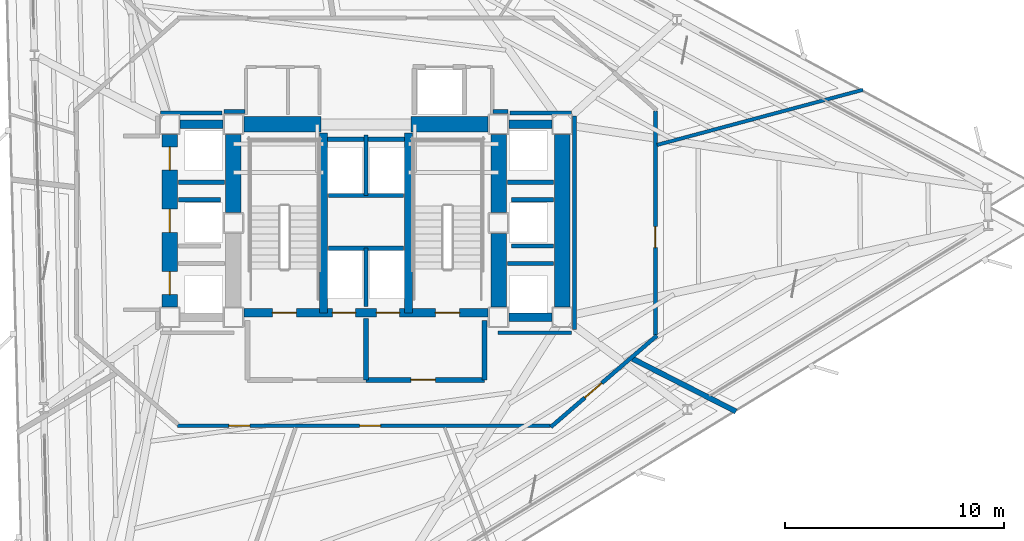
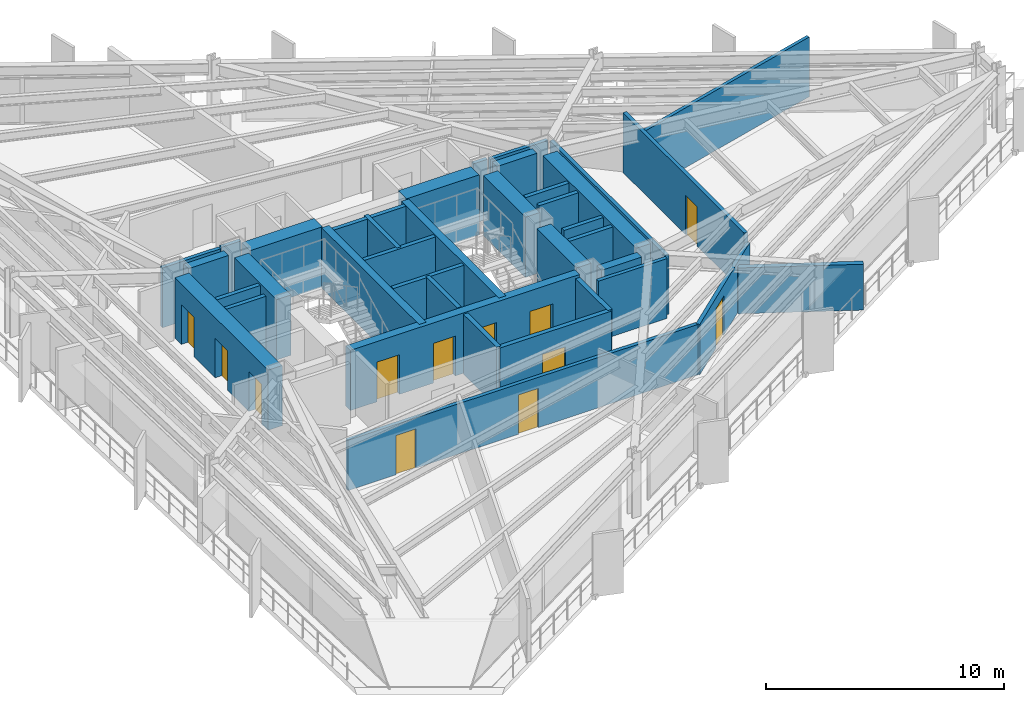
# One storey, part 8 of 14: 38 walls, 12 doors, 12 openings.
"""IFC4 building model written with IfcOpenShell, lengths in metres."""

from ifc_helpers import new_model, si_unit, direction, frame, frame_2d, origin, place, context, subcontext, project, spatial, rectangle, extrude, material, layer, layer_set, type_object, element, fill, save


model = new_model("IFC4")

# Units and contexts
model_context = context("Model", 3, precision=1e-05, world=origin(), true_north=direction((0.0, 1.0)))
body_context = subcontext(model_context, "Body", "Model", "MODEL_VIEW")
ifc_project = project(units=[si_unit("LENGTHUNIT", "METRE"), si_unit("AREAUNIT", "SQUARE_METRE"), si_unit("VOLUMEUNIT", "CUBIC_METRE"), si_unit("PLANEANGLEUNIT", "RADIAN"), si_unit("MASSUNIT", "GRAM", prefix="KILO")], contexts=[model_context])

# Site, building, storey
site_placement = place(None, origin())
site = spatial("IfcSite", under=ifc_project, at=site_placement, CompositionType="ELEMENT")
building_placement = place(site_placement, origin())
building = spatial("IfcBuilding", under=site, at=building_placement, Name="Rocaltana Carrier Exchange", CompositionType="ELEMENT")
storey_placement = place(building_placement, frame((0.0, 0.0, 35.679931640625)))
storey = spatial("IfcBuildingStorey", under=building, at=storey_placement, Name="L11", CompositionType="ELEMENT", Elevation=35.679931640625)

# Walls
ifc_material_1 = material(Name="Double Acoustic Gypsum Partition", Category="gypsum")
ifc_layer_1 = layer(ifc_material_1, 0.159912109375)
ifc_layer_set_1 = layer_set([ifc_layer_1], Name="Double Acoustic Gypsum Partition")
wall_type_1 = type_object("IfcWallType", Name="Acoustic Studio Partition 160 EI60", PredefinedType="PARTITIONING", material=ifc_layer_set_1)
wall_1_placement = place(storey_placement, frame((13.280029296875, 3.558349609375, 0.0), z_axis=(0.0, 0.0, 1.0), x_axis=(0.965926641133, 0.258816004043, 0.0)))
element("IfcWall", 1, at=wall_1_placement, inside=storey, type_object=wall_type_1, Name="L11 Suite Divider Wall D5", PredefinedType="PARTITIONING", context=body_context, shape_type="SweptSolid", body=[
    extrude(rectangle(XDim=9.7216796875, YDim=0.159912109375, at=frame_2d((4.86083984375, 0.0))), origin(), (0.0, 0.0, 1.0), 3.072998046875),
])
ifc_material_2 = material(Name="Concrete C50/60", Category="concrete")
ifc_layer_2 = layer(ifc_material_2, 0.35009765625)
ifc_layer_set_2 = layer_set([ifc_layer_2], Name="Concrete C50/60")
wall_type_2 = type_object("IfcWallType", Name="Core Internal Shear Wall 350", PredefinedType="SHEAR", material=ifc_layer_set_2)
for number, where, z_axis, x_axis, name in (
    (2, (-1.93994140625, -4.10009765625, 0.0), (0.0, 0.0, 1.0), (0.0, 1.0, 0.0), "L11 Core Shear Wall CW-STW"),
    (3, (1.93994140625, -4.10009765625, 0.0), (0.0, 0.0, 1.0), (0.0, 1.0, 0.0), "L11 Core Shear Wall CW-STE"),
):
    element("IfcWall", number, at=place(storey_placement, frame(where, z_axis=z_axis, x_axis=x_axis)), inside=storey, type_object=wall_type_2, Name=name, PredefinedType="SHEAR", context=body_context, shape_type="SweptSolid", body=[
        extrude(rectangle(XDim=8.2001953125, YDim=0.35009765625, at=frame_2d((4.10009765625, 0.0))), origin(), (0.0, 0.0, 1.0), 3.09814453125),
    ])

# Wall, openings, doors
ifc_material_3 = material(Name="Concrete C50/60", Category="concrete")
ifc_layer_3 = layer(ifc_material_3, 0.39990234375)
ifc_layer_set_3 = layer_set([ifc_layer_3], Name="Concrete C50/60")
wall_type_3 = type_object("IfcWallType", Name="Core Internal Shear Wall 400", PredefinedType="SHEAR", material=ifc_layer_set_3)
wall_2_placement = place(storey_placement, frame((-5.574951171875, -4.10009765625, 0.0), z_axis=(0.0, 0.0, 1.0), x_axis=(1.0, 0.0, 0.0)))
wall_2 = element("IfcWall", 4, at=wall_2_placement, inside=storey, type_object=wall_type_3, Name="L11 Core Shear Wall CW-S", PredefinedType="SHEAR", context=body_context, shape_type="SweptSolid", body=[
    extrude(rectangle(XDim=11.14990234375, YDim=0.39990234375, at=frame_2d((5.574951171875, 0.0))), origin(), (0.0, 0.0, 1.0), 3.09814453125),
])
opening_1_placement = place(wall_2_placement, frame((1.304931640625, 0.0, 0.0)))
opening_1 = element("IfcOpeningElement", 5, at=opening_1_placement, cuts=wall_2, Name="Opening D-ST110", PredefinedType="OPENING", context=body_context, shape_type="SweptSolid", body=[
    extrude(rectangle(XDim=1.10009765625, YDim=2.0400390625, at=frame_2d((0.550048828125, 1.02001953125))), frame((0.0, 0.2099609375, 0.0), z_axis=(0.0, -1.0, 0.0), x_axis=(1.0, 0.0, 0.0)), (0.0, 0.0, 1.0), 0.419921875),
])
opening_2_placement = place(wall_2_placement, frame((8.7451171875, 0.0, 0.0)))
opening_2 = element("IfcOpeningElement", 6, at=opening_2_placement, cuts=wall_2, Name="Opening D-ST110", PredefinedType="OPENING", context=body_context, shape_type="SweptSolid", body=[
    extrude(rectangle(XDim=1.10009765625, YDim=2.0400390625, at=frame_2d((0.550048828125, 1.02001953125))), frame((0.0, 0.2099609375, 0.0), z_axis=(0.0, -1.0, 0.0), x_axis=(1.0, 0.0, 0.0)), (0.0, 0.0, 1.0), 0.419921875),
])
opening_3_placement = place(wall_2_placement, frame((4.044921875, 0.0, 0.0)))
opening_3 = element("IfcOpeningElement", 7, at=opening_3_placement, cuts=wall_2, Name="Opening LD-110", PredefinedType="OPENING", context=body_context, shape_type="SweptSolid", body=[
    extrude(rectangle(XDim=1.06005859375, YDim=2.0400390625, at=frame_2d((0.530029296875, 1.02001953125))), frame((0.0, 0.2099609375, 0.0), z_axis=(0.0, -1.0, 0.0), x_axis=(1.0, 0.0, 0.0)), (0.0, 0.0, 1.0), 0.419921875),
])
opening_4_placement = place(wall_2_placement, frame((6.044921875, 0.0, 0.0)))
opening_4 = element("IfcOpeningElement", 8, at=opening_4_placement, cuts=wall_2, Name="Opening LD-110", PredefinedType="OPENING", context=body_context, shape_type="SweptSolid", body=[
    extrude(rectangle(XDim=1.06005859375, YDim=2.0400390625, at=frame_2d((0.530029296875, 1.02001953125))), frame((0.0, 0.2099609375, 0.0), z_axis=(0.0, -1.0, 0.0), x_axis=(1.0, 0.0, 0.0)), (0.0, 0.0, 1.0), 0.419921875),
])
ifc_material_4 = material(Name="Hollow Metal Fire Door Assembly", Category="steel")
door_type_1 = type_object("IfcDoorType", Name="Exit Stair Fire Door 1100x2040 FD90S", OperationType="NOTDEFINED", PredefinedType="DOOR", material=ifc_material_4)
door_1_placement = place(opening_1_placement, origin())
door_1 = element("IfcDoor", 9, at=door_1_placement, inside=storey, type_object=door_type_1, Name="L11 Exit Stair ST1 Fire Door", OperationType="SINGLE_SWING_RIGHT", OverallHeight=2.0400390625, OverallWidth=1.10009765625, PredefinedType="DOOR", context=body_context, shape_type="SweptSolid", body=[
    extrude(rectangle(XDim=1.10009765625, YDim=2.0400390625, at=frame_2d((0.550048828125, 1.02001953125))), frame((0.0, 0.02490234375, 0.0), z_axis=(0.0, -1.0, 0.0), x_axis=(1.0, 0.0, 0.0)), (0.0, 0.0, 1.0), 0.050048828125),
])
fill(opening_1, door_1)
door_2_placement = place(opening_2_placement, origin())
door_2 = element("IfcDoor", 10, at=door_2_placement, inside=storey, type_object=door_type_1, Name="L11 Exit Stair ST2 Fire Door", OperationType="SINGLE_SWING_LEFT", OverallHeight=2.0400390625, OverallWidth=1.10009765625, PredefinedType="DOOR", context=body_context, shape_type="SweptSolid", body=[
    extrude(rectangle(XDim=1.10009765625, YDim=2.0400390625, at=frame_2d((0.550048828125, 1.02001953125))), frame((0.0, 0.02490234375, 0.0), z_axis=(0.0, -1.0, 0.0), x_axis=(1.0, 0.0, 0.0)), (0.0, 0.0, 1.0), 0.050048828125),
])
fill(opening_2, door_2)
ifc_material_5 = material(Name="Brushed Stainless Sliding Door Leaf", Category="steel")
door_type_2 = type_object("IfcDoorType", Name="Lift Landing Sliding Door 1060x2040", OperationType="NOTDEFINED", PredefinedType="DOOR", material=ifc_material_5)
door_3_placement = place(opening_3_placement, origin())
door_3 = element("IfcDoor", 11, at=door_3_placement, inside=storey, type_object=door_type_2, Name="L11 Firefighting Lift FFL1 Landing Door", OperationType="SLIDING_TO_LEFT", OverallHeight=2.0400390625, OverallWidth=1.06005859375, PredefinedType="DOOR", context=body_context, shape_type="SweptSolid", body=[
    extrude(rectangle(XDim=1.06005859375, YDim=2.0400390625, at=frame_2d((0.530029296875, 1.02001953125))), frame((0.0, 0.02490234375, 0.0), z_axis=(0.0, -1.0, 0.0), x_axis=(1.0, 0.0, 0.0)), (0.0, 0.0, 1.0), 0.050048828125),
])
fill(opening_3, door_3)
door_4_placement = place(opening_4_placement, origin())
door_4 = element("IfcDoor", 12, at=door_4_placement, inside=storey, type_object=door_type_2, Name="L11 Firefighting Lift FFL2 Landing Door", OperationType="SLIDING_TO_RIGHT", OverallHeight=2.0400390625, OverallWidth=1.06005859375, PredefinedType="DOOR", context=body_context, shape_type="SweptSolid", body=[
    extrude(rectangle(XDim=1.06005859375, YDim=2.0400390625, at=frame_2d((0.530029296875, 1.02001953125))), frame((0.0, 0.02490234375, 0.0), z_axis=(0.0, -1.0, 0.0), x_axis=(1.0, 0.0, 0.0)), (0.0, 0.0, 1.0), 0.050048828125),
])
fill(opening_4, door_4)

# Walls
for number, where, z_axis, x_axis, name in (
    (13, (-8.47509765625, 4.5, 0.0), (0.0, 0.0, 1.0), (1.0, 0.0, 0.0), "L11 Core Shear Wall CW-WWN"),
    (14, (6.52490234375, 4.5, 0.0), (0.0, 0.0, 1.0), (1.0, 0.0, 0.0), "L11 Core Shear Wall CW-EWN"),
    (15, (6.52490234375, -4.300048828125, 0.0), (0.0, 0.0, 1.0), (1.0, 0.0, 0.0), "L11 Core Shear Wall CW-EWS"),
):
    element("IfcWall", number, at=place(storey_placement, frame(where, z_axis=z_axis, x_axis=x_axis)), inside=storey, type_object=wall_type_3, Name=name, PredefinedType="SHEAR", context=body_context, shape_type="SweptSolid", body=[
        extrude(rectangle(XDim=1.9501953125, YDim=0.39990234375, at=frame_2d((0.97509765625, 0.0))), origin(), (0.0, 0.0, 1.0), 3.09814453125),
    ])
ifc_material_6 = material(Name="Concrete C60/75", Category="concrete")
ifc_layer_4 = layer(ifc_material_6, 0.699951171875)
ifc_layer_set_4 = layer_set([ifc_layer_4], Name="Concrete C60/75")
wall_type_4 = type_object("IfcWallType", Name="Core Shear Wall 700", PredefinedType="SHEAR", material=ifc_layer_set_4)
for number, where, z_axis, x_axis, name in (
    (16, (-6.050048828125, 0.47509765625, 0.0), (0.0, 0.0, 1.0), (0.0, 1.0, 0.0), "L11 Core Shear Wall CW-WN"),
    (17, (6.050048828125, 0.47509765625, 0.0), (0.0, 0.0, 1.0), (0.0, 1.0, 0.0), "L11 Core Shear Wall CW-EN"),
):
    element("IfcWall", number, at=place(storey_placement, frame(where, z_axis=z_axis, x_axis=x_axis)), inside=storey, type_object=wall_type_4, Name=name, PredefinedType="SHEAR", context=body_context, shape_type="SweptSolid", body=[
        extrude(rectangle(XDim=3.5498046875, YDim=0.699951171875, at=frame_2d((1.77490234375, 0.0))), origin(), (0.0, 0.0, 1.0), 3.09814453125),
    ])
wall_3_placement = place(storey_placement, frame((6.050048828125, -3.824951171875, 0.0), z_axis=(0.0, 0.0, 1.0), x_axis=(0.0, 1.0, 0.0)))
element("IfcWall", 18, at=wall_3_placement, inside=storey, type_object=wall_type_4, Name="L11 Core Shear Wall CW-ES", PredefinedType="SHEAR", context=body_context, shape_type="SweptSolid", body=[
    extrude(rectangle(XDim=3.349853515625, YDim=0.699951171875, at=frame_2d((1.6748046875, 0.0))), origin(), (0.0, 0.0, 1.0), 3.09814453125),
])
for number, where, z_axis, x_axis, name in (
    (19, (-5.574951171875, 4.5, 0.0), (0.0, 0.0, 1.0), (1.0, 0.0, 0.0), "L11 Core Shear Wall CW-N1"),
    (20, (2.050048828125, 4.5, 0.0), (0.0, 0.0, 1.0), (1.0, 0.0, 0.0), "L11 Core Shear Wall CW-N2"),
):
    element("IfcWall", number, at=place(storey_placement, frame(where, z_axis=z_axis, x_axis=x_axis)), inside=storey, type_object=wall_type_4, Name=name, PredefinedType="SHEAR", context=body_context, shape_type="SweptSolid", body=[
        extrude(rectangle(XDim=3.52490234375, YDim=0.699951171875, at=frame_2d((1.762451171875, 0.0))), origin(), (0.0, 0.0, 1.0), 3.09814453125),
    ])

# Wall, openings, doors
wall_4_placement = place(storey_placement, frame((-8.949951171875, -3.824951171875, 0.0), z_axis=(0.0, 0.0, 1.0), x_axis=(0.0, 1.0, 0.0)))
wall_4 = element("IfcWall", 21, at=wall_4_placement, inside=storey, type_object=wall_type_4, Name="L11 Core Shear Wall CW-WW", PredefinedType="SHEAR", context=body_context, shape_type="SweptSolid", body=[
    extrude(rectangle(XDim=7.849853515625, YDim=0.699951171875, at=frame_2d((3.9248046875, 0.0))), origin(), (0.0, 0.0, 1.0), 3.09814453125),
])
opening_5_placement = place(wall_4_placement, frame((0.550048828125, 0.0, 0.0)))
opening_5 = element("IfcOpeningElement", 22, at=opening_5_placement, cuts=wall_4, Name="Opening LD-110", PredefinedType="OPENING", context=body_context, shape_type="SweptSolid", body=[
    extrude(rectangle(XDim=1.06005859375, YDim=2.0400390625, at=frame_2d((0.530029296875, 1.02001953125))), frame((0.0, 0.35986328125, 0.0), z_axis=(0.0, -1.0, 0.0), x_axis=(1.0, 0.0, 0.0)), (0.0, 0.0, 1.0), 0.719970703125),
])
opening_6_placement = place(wall_4_placement, frame((3.39501953125, 0.0, 0.0)))
opening_6 = element("IfcOpeningElement", 23, at=opening_6_placement, cuts=wall_4, Name="Opening LD-110", PredefinedType="OPENING", context=body_context, shape_type="SweptSolid", body=[
    extrude(rectangle(XDim=1.06005859375, YDim=2.0400390625, at=frame_2d((0.530029296875, 1.02001953125))), frame((0.0, 0.35986328125, 0.0), z_axis=(0.0, -1.0, 0.0), x_axis=(1.0, 0.0, 0.0)), (0.0, 0.0, 1.0), 0.719970703125),
])
opening_7_placement = place(wall_4_placement, frame((6.22998046875, 0.0, 0.0)))
opening_7 = element("IfcOpeningElement", 24, at=opening_7_placement, cuts=wall_4, Name="Opening LD-110", PredefinedType="OPENING", context=body_context, shape_type="SweptSolid", body=[
    extrude(rectangle(XDim=1.06005859375, YDim=2.0400390625, at=frame_2d((0.530029296875, 1.02001953125))), frame((0.0, 0.35986328125, 0.0), z_axis=(0.0, -1.0, 0.0), x_axis=(1.0, 0.0, 0.0)), (0.0, 0.0, 1.0), 0.719970703125),
])
door_5_placement = place(opening_5_placement, origin())
door_5 = element("IfcDoor", 25, at=door_5_placement, inside=storey, type_object=door_type_2, Name="L11 Low-Rise Lift PL-L1 Landing Door", OperationType="SLIDING_TO_LEFT", OverallHeight=2.0400390625, OverallWidth=1.06005859375, PredefinedType="DOOR", context=body_context, shape_type="SweptSolid", body=[
    extrude(rectangle(XDim=1.06005859375, YDim=2.0400390625, at=frame_2d((0.530029296875, 1.02001953125))), frame((0.0, 0.02490234375, 0.0), z_axis=(0.0, -1.0, 0.0), x_axis=(1.0, 0.0, 0.0)), (0.0, 0.0, 1.0), 0.050048828125),
])
fill(opening_5, door_5)
door_6_placement = place(opening_6_placement, origin())
door_6 = element("IfcDoor", 26, at=door_6_placement, inside=storey, type_object=door_type_2, Name="L11 Low-Rise Lift PL-L2 Landing Door", OperationType="SLIDING_TO_RIGHT", OverallHeight=2.0400390625, OverallWidth=1.06005859375, PredefinedType="DOOR", context=body_context, shape_type="SweptSolid", body=[
    extrude(rectangle(XDim=1.06005859375, YDim=2.0400390625, at=frame_2d((0.530029296875, 1.02001953125))), frame((0.0, 0.02490234375, 0.0), z_axis=(0.0, -1.0, 0.0), x_axis=(1.0, 0.0, 0.0)), (0.0, 0.0, 1.0), 0.050048828125),
])
fill(opening_6, door_6)
door_7_placement = place(opening_7_placement, origin())
door_7 = element("IfcDoor", 27, at=door_7_placement, inside=storey, type_object=door_type_2, Name="L11 Low-Rise Lift PL-L3 Landing Door", OperationType="SLIDING_TO_LEFT", OverallHeight=2.0400390625, OverallWidth=1.06005859375, PredefinedType="DOOR", context=body_context, shape_type="SweptSolid", body=[
    extrude(rectangle(XDim=1.06005859375, YDim=2.0400390625, at=frame_2d((0.530029296875, 1.02001953125))), frame((0.0, 0.02490234375, 0.0), z_axis=(0.0, -1.0, 0.0), x_axis=(1.0, 0.0, 0.0)), (0.0, 0.0, 1.0), 0.050048828125),
])
fill(opening_7, door_7)

# Wall
wall_5_placement = place(storey_placement, frame((8.949951171875, -3.824951171875, 0.0), z_axis=(0.0, 0.0, 1.0), x_axis=(0.0, 1.0, 0.0)))
element("IfcWall", 28, at=wall_5_placement, inside=storey, type_object=wall_type_4, Name="L11 Core Shear Wall CW-EW", PredefinedType="SHEAR", context=body_context, shape_type="SweptSolid", body=[
    extrude(rectangle(XDim=7.849853515625, YDim=0.699951171875, at=frame_2d((3.9248046875, 0.0))), origin(), (0.0, 0.0, 1.0), 3.09814453125),
])

# Wall, opening, door
ifc_material_7 = material(Name="Gypsum & Steel Stud Partition", Category="steel")
ifc_layer_5 = layer(ifc_material_7, 0.179931640625)
ifc_layer_set_5 = layer_set([ifc_layer_5], Name="Gypsum & Steel Stud Partition")
wall_type_5 = type_object("IfcWallType", Name="Corridor Fire Partition 180 EI60", PredefinedType="PARTITIONING", material=ifc_layer_set_5)
wall_6_placement = place(storey_placement, frame((13.199951171875, 5.110107421875, 0.0), z_axis=(0.0, 0.0, 1.0), x_axis=(0.0, -1.0, 0.0)))
wall_6 = element("IfcWall", 29, at=wall_6_placement, inside=storey, type_object=wall_type_5, Name="L11 Corridor Partition 3", PredefinedType="PARTITIONING", context=body_context, shape_type="SweptSolid", body=[
    extrude(rectangle(XDim=10.22021484375, YDim=0.179931640625, at=frame_2d((5.110107421875, 0.0))), origin(), (0.0, 0.0, 1.0), 3.072998046875),
])
opening_8_placement = place(wall_6_placement, frame((5.27685546875, 0.0, 0.0)))
opening_8 = element("IfcOpeningElement", 30, at=opening_8_placement, cuts=wall_6, Name="Opening D-RM098", PredefinedType="OPENING", context=body_context, shape_type="SweptSolid", body=[
    extrude(rectangle(XDim=0.9599609375, YDim=2.02001953125, at=frame_2d((0.47998046875, 1.010009765625))), frame((0.0, 0.099853515625, 0.0), z_axis=(0.0, -1.0, 0.0), x_axis=(1.0, 0.0, 0.0)), (0.0, 0.0, 1.0), 0.199951171875),
])
ifc_material_8 = material(Name="Engineered Hardwood Timber", Category="wood")
door_type_3 = type_object("IfcDoorType", Name="Workspace Single Door 960x2020", OperationType="NOTDEFINED", PredefinedType="DOOR", material=ifc_material_8)
door_8_placement = place(opening_8_placement, origin())
door_8 = element("IfcDoor", 31, at=door_8_placement, inside=storey, type_object=door_type_3, Name="L11 Executive Peering Boardroom Entrance Door", OperationType="SINGLE_SWING_LEFT", OverallHeight=2.02001953125, OverallWidth=0.9599609375, PredefinedType="DOOR", context=body_context, shape_type="SweptSolid", body=[
    extrude(rectangle(XDim=0.9599609375, YDim=2.02001953125, at=frame_2d((0.47998046875, 1.010009765625))), frame((0.0, 0.02490234375, 0.0), z_axis=(0.0, -1.0, 0.0), x_axis=(1.0, 0.0, 0.0)), (0.0, 0.0, 1.0), 0.050048828125),
])
fill(opening_8, door_8)

wall_7_placement = place(storey_placement, frame((13.268310546875, -5.14111328125, 0.0), z_axis=(0.0, 0.0, 1.0), x_axis=(-0.757534501725, -0.65279512766, 0.0)))
wall_7 = element("IfcWall", 32, at=wall_7_placement, inside=storey, type_object=wall_type_5, Name="L11 Corridor Partition 4", PredefinedType="PARTITIONING", context=body_context, shape_type="SweptSolid", body=[
    extrude(rectangle(XDim=6.384521484375, YDim=0.179931640625, at=frame_2d((3.1923828125, 0.0))), origin(), (0.0, 0.0, 1.0), 2.587158203125),
])
opening_9_placement = place(wall_7_placement, frame((3.315673828125, 0.0, 0.0)))
opening_9 = element("IfcOpeningElement", 33, at=opening_9_placement, cuts=wall_7, Name="Opening D-LB104", PredefinedType="OPENING", context=body_context, shape_type="SweptSolid", body=[
    extrude(rectangle(XDim=1.02001953125, YDim=2.02001953125, at=frame_2d((0.510009765625, 1.010009765625))), frame((0.0, 0.099853515625, 0.0), z_axis=(0.0, -1.0, 0.0), x_axis=(1.0, 0.0, 0.0)), (0.0, 0.0, 1.0), 0.199951171875),
])
ifc_material_9 = material(Name="Powder-Coated Aluminium 6063-T6", Category="aluminium")
door_type_4 = type_object("IfcDoorType", Name="Laboratory Acoustic Door 1020x2020", OperationType="NOTDEFINED", PredefinedType="DOOR", material=ifc_material_9)
door_9_placement = place(opening_9_placement, origin())
door_9 = element("IfcDoor", 34, at=door_9_placement, inside=storey, type_object=door_type_4, Name="L11 Optical Switching Laboratory Entrance Door", OperationType="SINGLE_SWING_RIGHT", OverallHeight=2.02001953125, OverallWidth=1.02001953125, PredefinedType="DOOR", context=body_context, shape_type="SweptSolid", body=[
    extrude(rectangle(XDim=1.02001953125, YDim=2.02001953125, at=frame_2d((0.510009765625, 1.010009765625))), frame((0.0, 0.02490234375, 0.0), z_axis=(0.0, -1.0, 0.0), x_axis=(1.0, 0.0, 0.0)), (0.0, 0.0, 1.0), 0.050048828125),
])
fill(opening_9, door_9)

# Wall, openings, doors
wall_8_placement = place(storey_placement, frame((8.409912109375, -9.25, 0.0), z_axis=(0.0, 0.0, 1.0), x_axis=(-1.0, 0.0, 0.0)))
wall_8 = element("IfcWall", 35, at=wall_8_placement, inside=storey, type_object=wall_type_5, Name="L11 Corridor Partition 5", PredefinedType="PARTITIONING", context=body_context, shape_type="SweptSolid", body=[
    extrude(rectangle(XDim=17.0, YDim=0.179931640625, at=frame_2d((8.5, 0.0))), origin(), (0.0, 0.0, 1.0), 2.587158203125),
])
opening_10_placement = place(wall_8_placement, frame((13.703369140625, 0.0, 0.0)))
opening_10 = element("IfcOpeningElement", 36, at=opening_10_placement, cuts=wall_8, Name="Opening D-RM098", PredefinedType="OPENING", context=body_context, shape_type="SweptSolid", body=[
    extrude(rectangle(XDim=0.9599609375, YDim=2.02001953125, at=frame_2d((0.47998046875, 1.010009765625))), frame((0.0, 0.099853515625, 0.0), z_axis=(0.0, -1.0, 0.0), x_axis=(1.0, 0.0, 0.0)), (0.0, 0.0, 1.0), 0.199951171875),
])
opening_11_placement = place(wall_8_placement, frame((7.745361328125, 0.0, 0.0)))
opening_11 = element("IfcOpeningElement", 37, at=opening_11_placement, cuts=wall_8, Name="Opening D-RM098", PredefinedType="OPENING", context=body_context, shape_type="SweptSolid", body=[
    extrude(rectangle(XDim=0.9599609375, YDim=2.02001953125, at=frame_2d((0.47998046875, 1.010009765625))), frame((0.0, 0.099853515625, 0.0), z_axis=(0.0, -1.0, 0.0), x_axis=(1.0, 0.0, 0.0)), (0.0, 0.0, 1.0), 0.199951171875),
])
door_10_placement = place(opening_10_placement, origin())
door_10 = element("IfcDoor", 38, at=door_10_placement, inside=storey, type_object=door_type_3, Name="L11 Incident Briefing Room Entrance Door", OperationType="SINGLE_SWING_RIGHT", OverallHeight=2.02001953125, OverallWidth=0.9599609375, PredefinedType="DOOR", context=body_context, shape_type="SweptSolid", body=[
    extrude(rectangle(XDim=0.9599609375, YDim=2.02001953125, at=frame_2d((0.47998046875, 1.010009765625))), frame((0.0, 0.02490234375, 0.0), z_axis=(0.0, -1.0, 0.0), x_axis=(1.0, 0.0, 0.0)), (0.0, 0.0, 1.0), 0.050048828125),
])
fill(opening_10, door_10)
door_11_placement = place(opening_11_placement, origin())
door_11 = element("IfcDoor", 39, at=door_11_placement, inside=storey, type_object=door_type_3, Name="L11 Peering Conference Room Entrance Door", OperationType="SINGLE_SWING_LEFT", OverallHeight=2.02001953125, OverallWidth=0.9599609375, PredefinedType="DOOR", context=body_context, shape_type="SweptSolid", body=[
    extrude(rectangle(XDim=0.9599609375, YDim=2.02001953125, at=frame_2d((0.47998046875, 1.010009765625))), frame((0.0, 0.02490234375, 0.0), z_axis=(0.0, -1.0, 0.0), x_axis=(1.0, 0.0, 0.0)), (0.0, 0.0, 1.0), 0.050048828125),
])
fill(opening_11, door_11)

# Walls
wall_9_placement = place(storey_placement, frame((6.030029296875, -5.010009765625, 0.0), z_axis=(0.0, 0.0, 1.0), x_axis=(1.0, 0.0, 0.0)))
element("IfcWall", 40, at=wall_9_placement, inside=storey, type_object=wall_type_5, Name="L11 Corridor Partition 16", PredefinedType="PARTITIONING", context=body_context, shape_type="SweptSolid", body=[
    extrude(rectangle(XDim=3.340087890625, YDim=0.179931640625, at=frame_2d((1.669921875, 0.0))), origin(), (0.0, 0.0, 1.0), 3.072998046875),
])
wall_10_placement = place(storey_placement, frame((9.510009765625, -4.8701171875, 0.0), z_axis=(0.0, 0.0, 1.0), x_axis=(0.0, 1.0, 0.0)))
element("IfcWall", 41, at=wall_10_placement, inside=storey, type_object=wall_type_5, Name="L11 Corridor Partition 17", PredefinedType="PARTITIONING", context=body_context, shape_type="SweptSolid", body=[
    extrude(rectangle(XDim=9.740234375, YDim=0.179931640625, at=frame_2d((4.8701171875, 0.0))), origin(), (0.0, 0.0, 1.0), 3.072998046875),
])
wall_11_placement = place(storey_placement, frame((9.3701171875, 5.010009765625, 0.0), z_axis=(0.0, 0.0, 1.0), x_axis=(-1.0, 0.0, 0.0)))
element("IfcWall", 42, at=wall_11_placement, inside=storey, type_object=wall_type_5, Name="L11 Corridor Partition 18", PredefinedType="PARTITIONING", context=body_context, shape_type="SweptSolid", body=[
    extrude(rectangle(XDim=2.807861328125, YDim=0.179931640625, at=frame_2d((1.40380859375, 0.0))), origin(), (0.0, 0.0, 1.0), 3.072998046875),
])
wall_12_placement = place(storey_placement, frame((6.469970703125, 5.080078125, 0.0), z_axis=(0.0, 0.0, 1.0), x_axis=(-1.0, 0.0, 0.0)))
element("IfcWall", 43, at=wall_12_placement, inside=storey, type_object=wall_type_5, Name="L11 Corridor Partition 19", PredefinedType="PARTITIONING", context=body_context, shape_type="SweptSolid", body=[
    extrude(rectangle(XDim=0.679931640625, YDim=0.179931640625, at=frame_2d((0.33984375, 0.0))), origin(), (0.0, 0.0, 1.0), 3.072998046875),
])
wall_13_placement = place(storey_placement, frame((-5.52001953125, 5.080078125, 0.0), z_axis=(0.0, 0.0, 1.0), x_axis=(-1.0, 0.0, 0.0)))
element("IfcWall", 44, at=wall_13_placement, inside=storey, type_object=wall_type_5, Name="L11 Corridor Partition 22", PredefinedType="PARTITIONING", context=body_context, shape_type="SweptSolid", body=[
    extrude(rectangle(XDim=0.949951171875, YDim=0.179931640625, at=frame_2d((0.47509765625, 0.0))), origin(), (0.0, 0.0, 1.0), 3.072998046875),
])
wall_14_placement = place(storey_placement, frame((-6.562255859375, 5.010009765625, 0.0), z_axis=(0.0, 0.0, 1.0), x_axis=(-1.0, 0.0, 0.0)))
element("IfcWall", 45, at=wall_14_placement, inside=storey, type_object=wall_type_5, Name="L11 Corridor Partition 23", PredefinedType="PARTITIONING", context=body_context, shape_type="SweptSolid", body=[
    extrude(rectangle(XDim=2.807861328125, YDim=0.179931640625, at=frame_2d((1.40380859375, 0.0))), origin(), (0.0, 0.0, 1.0), 3.072998046875),
])
ifc_material_10 = material(Name="Autoclaved Aerated Concrete C30/37", Category="concrete")
ifc_layer_6 = layer(ifc_material_10, 0.219970703125)
ifc_layer_set_6 = layer_set([ifc_layer_6], Name="Autoclaved Aerated Concrete C30/37")
wall_type_6 = type_object("IfcWallType", Name="Firefighting Lobby Wall 220 EI120", PredefinedType="PARTITIONING", material=ifc_layer_set_6)
wall_15_placement = place(storey_placement, frame((5.39990234375, -7.159912109375, 0.0), z_axis=(0.0, 0.0, 1.0), x_axis=(0.0, 1.0, 0.0)))
element("IfcWall", 46, at=wall_15_placement, inside=storey, type_object=wall_type_6, Name="L11 FFL Lobby 2 East Wall", PredefinedType="PARTITIONING", context=body_context, shape_type="SweptSolid", body=[
    extrude(rectangle(XDim=2.7099609375, YDim=0.219970703125, at=frame_2d((1.35498046875, 0.0))), origin(), (0.0, 0.0, 1.0), 3.072998046875),
])
wall_16_placement = place(storey_placement, frame((0.0, -7.159912109375, 0.0), z_axis=(0.0, 0.0, 1.0), x_axis=(0.0, 1.0, 0.0)))
element("IfcWall", 47, at=wall_16_placement, inside=storey, type_object=wall_type_6, Name="L11 FFL Lobby Centre Wall", PredefinedType="PARTITIONING", context=body_context, shape_type="SweptSolid", body=[
    extrude(rectangle(XDim=2.809814453125, YDim=0.219970703125, at=frame_2d((1.40478515625, 0.0))), origin(), (0.0, 0.0, 1.0), 3.072998046875),
])

# Wall, opening, door
wall_17_placement = place(storey_placement, frame((0.0, -7.159912109375, 0.0), z_axis=(0.0, 0.0, 1.0), x_axis=(1.0, 0.0, 0.0)))
wall_17 = element("IfcWall", 48, at=wall_17_placement, inside=storey, type_object=wall_type_6, Name="L11 FFL Lobby 2 South Wall", PredefinedType="PARTITIONING", context=body_context, shape_type="SweptSolid", body=[
    extrude(rectangle(XDim=5.39990234375, YDim=0.219970703125, at=frame_2d((2.699951171875, 0.0))), origin(), (0.0, 0.0, 1.0), 3.072998046875),
])
opening_12_placement = place(wall_17_placement, frame((2.050048828125, 0.0, 0.0)))
opening_12 = element("IfcOpeningElement", 49, at=opening_12_placement, cuts=wall_17, Name="Opening D-FF115", PredefinedType="OPENING", context=body_context, shape_type="SweptSolid", body=[
    extrude(rectangle(XDim=1.1201171875, YDim=2.02001953125, at=frame_2d((0.56005859375, 1.010009765625))), frame((0.0, 0.119873046875, 0.0), z_axis=(0.0, -1.0, 0.0), x_axis=(1.0, 0.0, 0.0)), (0.0, 0.0, 1.0), 0.239990234375),
])
ifc_material_11 = material(Name="Hollow Metal Fire Door Assembly", Category="steel")
door_type_5 = type_object("IfcDoorType", Name="Firefighting Lobby Door 1120x2020 FD60S", OperationType="NOTDEFINED", PredefinedType="DOOR", material=ifc_material_11)
door_12_placement = place(opening_12_placement, origin())
door_12 = element("IfcDoor", 50, at=door_12_placement, inside=storey, type_object=door_type_5, Name="L11 Firefighting Lift Lobby 2 Door", OperationType="SINGLE_SWING_LEFT", OverallHeight=2.02001953125, OverallWidth=1.1201171875, PredefinedType="DOOR", context=body_context, shape_type="SweptSolid", body=[
    extrude(rectangle(XDim=1.1201171875, YDim=2.02001953125, at=frame_2d((0.56005859375, 1.010009765625))), frame((0.0, 0.02490234375, 0.0), z_axis=(0.0, -1.0, 0.0), x_axis=(1.0, 0.0, 0.0)), (0.0, 0.0, 1.0), 0.050048828125),
])
fill(opening_12, door_12)

# Walls
ifc_material_12 = material(Name="Acoustic Calcium Silicate Partition", Category="gypsum")
ifc_layer_7 = layer(ifc_material_12, 0.239990234375)
ifc_layer_set_7 = layer_set([ifc_layer_7], Name="Acoustic Calcium Silicate Partition")
wall_type_7 = type_object("IfcWallType", Name="Heavy Lab Partition 240 EI90", PredefinedType="PARTITIONING", material=ifc_layer_set_7)
wall_18_placement = place(storey_placement, frame((12.164306640625, -6.197998046875, 0.0), z_axis=(0.0, 0.0, 1.0), x_axis=(0.890999034188, -0.454005199394, 0.0)))
element("IfcWall", 51, at=wall_18_placement, inside=storey, type_object=wall_type_7, Name="L11 Suite Divider Wall D4", PredefinedType="PARTITIONING", context=body_context, shape_type="SweptSolid", body=[
    extrude(rectangle(XDim=5.295654296875, YDim=0.239990234375, at=frame_2d((2.64794921875, 0.0))), origin(), (0.0, 0.0, 1.0), 2.358154296875),
])
ifc_material_13 = material(Name="Reinforced Concrete Block C35/45", Category="concrete")
ifc_layer_8 = layer(ifc_material_13, 0.199951171875)
ifc_layer_set_8 = layer_set([ifc_layer_8], Name="Reinforced Concrete Block C35/45")
wall_type_8 = type_object("IfcWallType", Name="Lift Hoistway Enclosure Wall 200 EI120", PredefinedType="PARTITIONING", material=ifc_layer_set_8)
wall_19_placement = place(storey_placement, frame((0.0, -3.820068359375, 0.0), z_axis=(0.0, 0.0, 1.0), x_axis=(0.0, 1.0, 0.0)))
element("IfcWall", 52, at=wall_19_placement, inside=storey, type_object=wall_type_8, Name="L11 FFL Shaft Divider", PredefinedType="PARTITIONING", context=body_context, shape_type="SweptSolid", body=[
    extrude(rectangle(XDim=2.670166015625, YDim=0.199951171875, at=frame_2d((1.3349609375, 0.0))), origin(), (0.0, 0.0, 1.0), 3.072998046875),
])
wall_20_placement = place(storey_placement, frame((-1.719970703125, -1.14990234375, 0.0), z_axis=(0.0, 0.0, 1.0), x_axis=(1.0, 0.0, 0.0)))
element("IfcWall", 53, at=wall_20_placement, inside=storey, type_object=wall_type_8, Name="L11 FFL Shaft Back Wall", PredefinedType="PARTITIONING", context=body_context, shape_type="SweptSolid", body=[
    extrude(rectangle(XDim=3.43994140625, YDim=0.199951171875, at=frame_2d((1.719970703125, 0.0))), origin(), (0.0, 0.0, 1.0), 3.072998046875),
])
wall_21_placement = place(storey_placement, frame((0.0, 1.25, 0.0), z_axis=(0.0, 0.0, 1.0), x_axis=(0.0, 1.0, 0.0)))
element("IfcWall", 54, at=wall_21_placement, inside=storey, type_object=wall_type_8, Name="L11 High-Rise Shaft Divider", PredefinedType="PARTITIONING", context=body_context, shape_type="SweptSolid", body=[
    extrude(rectangle(XDim=2.77001953125, YDim=0.199951171875, at=frame_2d((1.385009765625, 0.0))), origin(), (0.0, 0.0, 1.0), 3.072998046875),
])
wall_22_placement = place(storey_placement, frame((-1.719970703125, 1.25, 0.0), z_axis=(0.0, 0.0, 1.0), x_axis=(1.0, 0.0, 0.0)))
element("IfcWall", 55, at=wall_22_placement, inside=storey, type_object=wall_type_8, Name="L11 High-Rise Shaft Back Wall", PredefinedType="PARTITIONING", context=body_context, shape_type="SweptSolid", body=[
    extrude(rectangle(XDim=3.43994140625, YDim=0.199951171875, at=frame_2d((1.719970703125, 0.0))), origin(), (0.0, 0.0, 1.0), 3.072998046875),
])
wall_23_placement = place(storey_placement, frame((-1.760009765625, 3.820068359375, 0.0), z_axis=(0.0, 0.0, 1.0), x_axis=(1.0, 0.0, 0.0)))
element("IfcWall", 56, at=wall_23_placement, inside=storey, type_object=wall_type_8, Name="L11 High-Rise Lift Front Wall", PredefinedType="PARTITIONING", context=body_context, shape_type="SweptSolid", body=[
    extrude(rectangle(XDim=3.52001953125, YDim=0.199951171875, at=frame_2d((1.760009765625, 0.0))), origin(), (0.0, 0.0, 1.0), 3.072998046875),
])
wall_24_placement = place(storey_placement, frame((-8.550048828125, 1.85009765625, 0.0), z_axis=(0.0, 0.0, 1.0), x_axis=(1.0, 0.0, 0.0)))
element("IfcWall", 57, at=wall_24_placement, inside=storey, type_object=wall_type_8, Name="L11 Low-Rise Shaft Divider 2", PredefinedType="PARTITIONING", context=body_context, shape_type="SweptSolid", body=[
    extrude(rectangle(XDim=2.10009765625, YDim=0.199951171875, at=frame_2d((1.050048828125, 0.0))), origin(), (0.0, 0.0, 1.0), 3.072998046875),
])
wall_25_placement = place(storey_placement, frame((-8.550048828125, 1.050048828125, 0.0), z_axis=(0.0, 0.0, 1.0), x_axis=(1.0, 0.0, 0.0)))
element("IfcWall", 58, at=wall_25_placement, inside=storey, type_object=wall_type_8, Name="L11 Low-Rise Center Shaft Wall North", PredefinedType="PARTITIONING", context=body_context, shape_type="SweptSolid", body=[
    extrude(rectangle(XDim=1.91015625, YDim=0.199951171875, at=frame_2d((0.955078125, 0.0))), origin(), (0.0, 0.0, 1.0), 3.072998046875),
])
for number, where, z_axis, x_axis, name in (
    (59, (6.449951171875, -1.85009765625, 0.0), (0.0, 0.0, 1.0), (1.0, 0.0, 0.0), "L11 Mid-Rise Shaft Divider 1"),
    (60, (6.449951171875, 1.85009765625, 0.0), (0.0, 0.0, 1.0), (1.0, 0.0, 0.0), "L11 Mid-Rise Shaft Divider 2"),
):
    element("IfcWall", number, at=place(storey_placement, frame(where, z_axis=z_axis, x_axis=x_axis)), inside=storey, type_object=wall_type_8, Name=name, PredefinedType="PARTITIONING", context=body_context, shape_type="SweptSolid", body=[
        extrude(rectangle(XDim=2.10009765625, YDim=0.199951171875, at=frame_2d((1.050048828125, 0.0))), origin(), (0.0, 0.0, 1.0), 3.072998046875),
    ])
for number, where, z_axis, x_axis, name in (
    (61, (6.639892578125, -1.050048828125, 0.0), (0.0, 0.0, 1.0), (1.0, 0.0, 0.0), "L11 Mid-Rise Center Shaft Wall South"),
    (62, (6.639892578125, 1.050048828125, 0.0), (0.0, 0.0, 1.0), (1.0, 0.0, 0.0), "L11 Mid-Rise Center Shaft Wall North"),
):
    element("IfcWall", number, at=place(storey_placement, frame(where, z_axis=z_axis, x_axis=x_axis)), inside=storey, type_object=wall_type_8, Name=name, PredefinedType="PARTITIONING", context=body_context, shape_type="SweptSolid", body=[
        extrude(rectangle(XDim=1.91015625, YDim=0.199951171875, at=frame_2d((0.955078125, 0.0))), origin(), (0.0, 0.0, 1.0), 3.072998046875),
    ])

save(model, "model.ifc")
